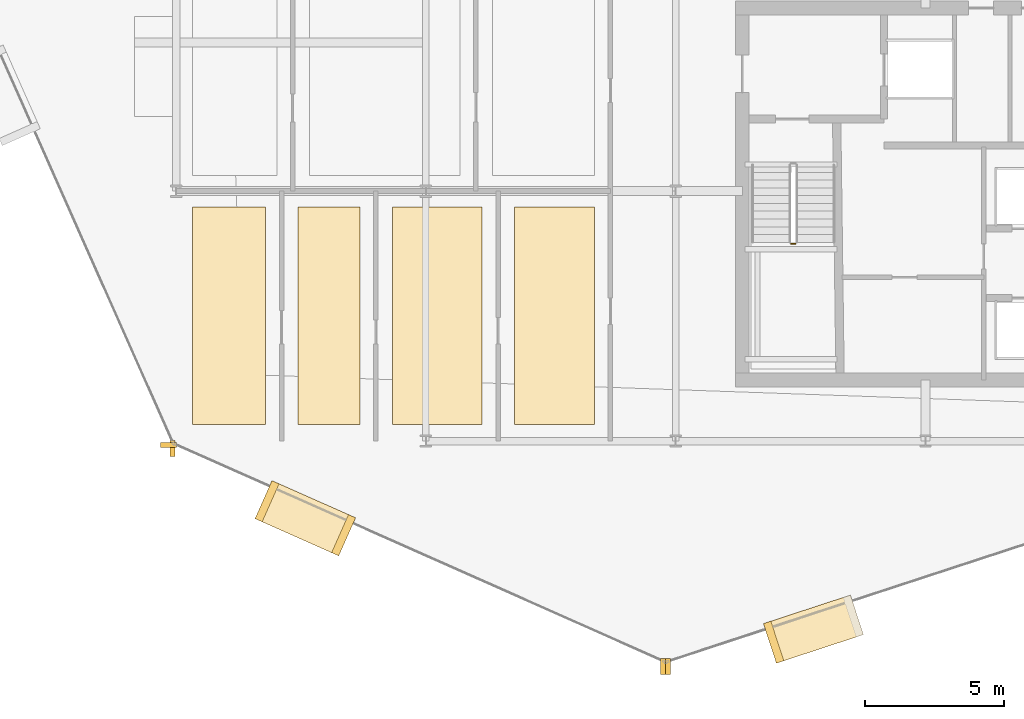
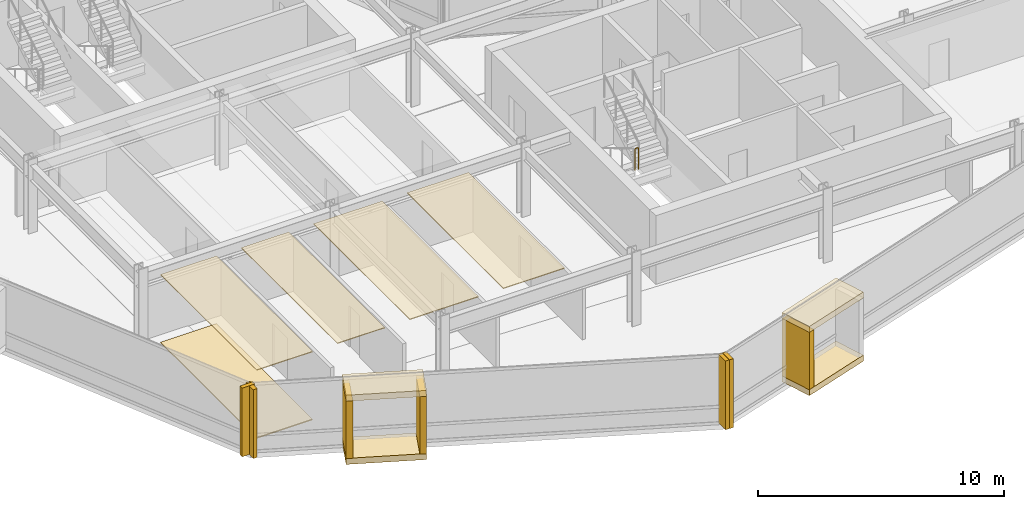
# One storey, part 24 of 28: 16 coverings, 1 railing.
"""IFC4 building model written with IfcOpenShell, lengths in metres."""

import ifcopenshell
import ifcopenshell.guid

model = None  # the IFC model being written
_history = None  # IfcOwnerHistory: only IFC2X3 demands one
_inside = {}  # id of a spatial element -> (the spatial element, [elements in it])
_under = {}  # id of a project, library or spatial element -> (it, [spatial elements below it])
_declared = {}  # id of a project -> (the project, [libraries it declares])
_typed = {}  # id of a type object -> (the type object, [elements of that type])
_made_of = {}  # id of a material, layer set ... -> (it, [elements and type objects made of it])


def new_model(schema):
    """Start an empty IFC model of exactly this schema.

    Asked for "IFC4X3", IfcOpenShell would pick the latest addendum, in which some entities
    have other attributes; the version numbers below select the first issue.
    IFC2X3 requires an IfcOwnerHistory on every rooted entity: one is made here for all.
    """
    global model, _history
    if schema == "IFC4X3":
        model = ifcopenshell.file(schema_version=(4, 3, 0, 0))
    else:
        model = ifcopenshell.file(schema=schema)
    _inside.clear()
    _under.clear()
    _declared.clear()
    _typed.clear()
    _made_of.clear()
    _history = None
    if model.schema == "IFC2X3":
        org = make("IfcOrganization", Name="unknown")
        user = make(
            "IfcPersonAndOrganization",
            ThePerson=make("IfcPerson", FamilyName="unknown"),
            TheOrganization=org,
        )
        app = make(
            "IfcApplication",
            ApplicationDeveloper=org,
            Version="unknown",
            ApplicationFullName="unknown",
            ApplicationIdentifier="unknown",
        )
        _history = make(
            "IfcOwnerHistory",
            OwningUser=user,
            OwningApplication=app,
            ChangeAction="ADDED",
            CreationDate=0,
        )
    return model


def make(cls, **values):
    """One entity of the class cls with the attributes given. An attribute that is None is left unset."""
    return model.create_entity(
        cls, **{name: value for name, value in values.items() if value is not None}
    )


def rooted(cls, **values):
    """An entity with a GlobalId (a new one), such as an element, a storey or a relation."""
    return make(cls, GlobalId=ifcopenshell.guid.new(), OwnerHistory=_history, **values)


def si_unit(unit_type, name, prefix=None):
    """IfcSIUnit, for example si_unit("LENGTHUNIT", "METRE", prefix="MILLI")."""
    return make("IfcSIUnit", UnitType=unit_type, Prefix=prefix, Name=name)


def assignment(units):
    """IfcUnitAssignment: the units of a project."""
    return None if units is None else make("IfcUnitAssignment", Units=units)


def point(xyz):
    """IfcCartesianPoint."""
    return None if xyz is None else make("IfcCartesianPoint", Coordinates=xyz)


def direction(xyz):
    """IfcDirection."""
    return None if xyz is None else make("IfcDirection", DirectionRatios=xyz)


def frame(location, z_axis=None, x_axis=None):
    """IfcAxis2Placement3D, a coordinate frame: its origin and axes. An axis left out is left unset."""
    return make(
        "IfcAxis2Placement3D",
        Location=point(location),
        Axis=direction(z_axis),
        RefDirection=direction(x_axis),
    )


def frame_2d(location, x_axis=None):
    """IfcAxis2Placement2D, a coordinate frame in the plane: its origin and x axis."""
    return make(
        "IfcAxis2Placement2D", Location=point(location), RefDirection=direction(x_axis)
    )


def origin():
    """The frame at (0, 0, 0) with its axes left unset."""
    return frame((0.0, 0.0, 0.0))


def origin_2d():
    """The frame at (0, 0) in the plane with its x axis left unset."""
    return frame_2d((0.0, 0.0))


def place(relative_to, where):
    """IfcLocalPlacement: puts the frame where relative to a parent placement (None: the world)."""
    return make(
        "IfcLocalPlacement", PlacementRelTo=relative_to, RelativePlacement=where
    )


def context(
    kind, dimensions, precision=None, world=None, true_north=None, identifier=None
):
    """IfcGeometricRepresentationContext, for example the 3D "Model" context."""
    return make(
        "IfcGeometricRepresentationContext",
        ContextIdentifier=identifier,
        ContextType=kind,
        CoordinateSpaceDimension=dimensions,
        Precision=precision,
        WorldCoordinateSystem=world,
        TrueNorth=true_north,
    )


def subcontext(parent, identifier, kind, view, scale=None):
    """IfcGeometricRepresentationSubContext, for example "Body" below "Model"."""
    return make(
        "IfcGeometricRepresentationSubContext",
        ContextIdentifier=identifier,
        ContextType=kind,
        ParentContext=parent,
        TargetScale=scale,
        TargetView=view,
    )


def project(units=None, contexts=None):
    """IfcProject with its units and contexts."""
    return rooted(
        "IfcProject",
        Name="project",
        RepresentationContexts=contexts,
        UnitsInContext=assignment(units),
    )


def spatial(cls, under=None, at=None, **own):
    """A site, building, storey or space (cls), placed at a placement, below another one or the project."""
    s = rooted(cls, ObjectPlacement=at, **own)
    if under is not None:
        _under.setdefault(under.id(), (under, []))[1].append(s)
    return s


def polyline(points):
    """IfcPolyline through the points."""
    return make("IfcPolyline", Points=[point(p) for p in points])


def profile(cls, at=None, kind="AREA", **sizes):
    """A parametric profile (cls). Its sizes go by their IFC names, for example OverallWidth=200.0."""
    return make(cls, ProfileType=kind, Position=at, **sizes)


def rectangle(**sizes):
    """IfcRectangleProfileDef."""
    return profile("IfcRectangleProfileDef", **sizes)


def circle(**sizes):
    """IfcCircleProfileDef."""
    return profile("IfcCircleProfileDef", **sizes)


def outline(outer, holes=None, kind="AREA"):
    """IfcArbitraryClosedProfileDef: a profile drawn as a closed curve; with holes, ...WithVoids."""
    if holes is None:
        return make("IfcArbitraryClosedProfileDef", ProfileType=kind, OuterCurve=outer)
    return make(
        "IfcArbitraryProfileDefWithVoids",
        ProfileType=kind,
        OuterCurve=outer,
        InnerCurves=holes,
    )


def extrude(swept, where, along, depth):
    """IfcExtrudedAreaSolid: the profile swept, set in the frame where, extruded along a direction by depth."""
    return make(
        "IfcExtrudedAreaSolid",
        SweptArea=swept,
        Position=where,
        ExtrudedDirection=direction(along),
        Depth=depth,
    )


def shape(context_of_items, identifier, shape_type, items):
    """IfcShapeRepresentation: the items that make up one representation, for example the "Body"."""
    return make(
        "IfcShapeRepresentation",
        ContextOfItems=context_of_items,
        RepresentationIdentifier=identifier,
        RepresentationType=shape_type,
        Items=items,
    )


def material(Name=None, Category=None):
    """IfcMaterial."""
    return make("IfcMaterial", Name=Name, Category=Category)


def layer(
    of_material, thickness, ventilated=None, Name=None, Category=None, Priority=None
):
    """IfcMaterialLayer: one layer of a wall or slab, of a material (None: an air gap)."""
    return make(
        "IfcMaterialLayer",
        Material=of_material,
        LayerThickness=thickness,
        IsVentilated=ventilated,
        Name=Name,
        Category=Category,
        Priority=Priority,
    )


def layer_set(layers, Name=None):
    """IfcMaterialLayerSet."""
    return make("IfcMaterialLayerSet", MaterialLayers=layers, LayerSetName=Name)


def made_of(thing, what):
    """Note that an element or type object is made of a material, layer set ...; save() writes the relation."""
    if what is not None:
        _made_of.setdefault(what.id(), (what, []))[1].append(thing)
    return thing


def type_object(cls, material=None, **own):
    """A type object (cls), such as IfcWallType, which elements share."""
    return made_of(rooted(cls, **own), material)


def element(
    cls,
    number,
    at=None,
    inside=None,
    cuts=None,
    type_object=None,
    material=None,
    context=None,
    identifier="Body",
    shape_type=None,
    held_by="IfcProductDefinitionShape",
    body=None,
    shapes=None,
    **own,
):
    """One element of the class cls, such as IfcWall. Its Tag is "e" and its number.

    at: its placement. inside: the storey or other place that contains it. cuts: it is an
    opening in that element (IfcRelVoidsElement). A single representation is given by context,
    identifier, shape_type and body (its items); several are given by shapes. held_by: the class
    of the entity that holds the representations. save() writes the other relations.
    """
    e = rooted(cls, Tag="e%d" % number, ObjectPlacement=at, **own)
    if body is not None:
        shapes = [shape(context, identifier, shape_type, body)]
    if shapes is not None:
        e.Representation = make(held_by, Representations=shapes)
    if inside is not None:
        _inside.setdefault(inside.id(), (inside, []))[1].append(e)
    if cuts is not None:
        rooted(
            "IfcRelVoidsElement", RelatingBuildingElement=cuts, RelatedOpeningElement=e
        )
    if type_object is not None:
        _typed.setdefault(type_object.id(), (type_object, []))[1].append(e)
    return made_of(e, material)


def aggregate(whole, parts):
    """IfcRelAggregates: a whole, such as a stair, and the parts it consists of."""
    return rooted("IfcRelAggregates", RelatingObject=whole, RelatedObjects=parts)


def save(model, path):
    """Write the relations noted so far, then the file.

    IfcRelAggregates (storeys below a building ...), IfcRelContainedInSpatialStructure (elements
    in a storey), IfcRelDefinesByType, IfcRelAssociatesMaterial and IfcRelDeclares: one each for
    every whole, place, type object, material and project.
    """
    for whole, parts in _under.values():
        aggregate(whole, parts)
    for where, things in _inside.values():
        rooted(
            "IfcRelContainedInSpatialStructure",
            RelatedElements=things,
            RelatingStructure=where,
        )
    for kind, things in _typed.values():
        rooted("IfcRelDefinesByType", RelatedObjects=things, RelatingType=kind)
    for what, things in _made_of.values():
        rooted("IfcRelAssociatesMaterial", RelatedObjects=things, RelatingMaterial=what)
    for by, libraries in _declared.values():
        rooted("IfcRelDeclares", RelatingContext=by, RelatedDefinitions=libraries)
    model.write(path)


model = new_model("IFC4")

# Units and contexts
model_context = context("Model", 3, precision=1e-05, world=origin(), true_north=direction((0.0, 1.0)))
body_context = subcontext(model_context, "Body", "Model", "MODEL_VIEW")
ifc_project = project(units=[si_unit("LENGTHUNIT", "METRE"), si_unit("AREAUNIT", "SQUARE_METRE"), si_unit("VOLUMEUNIT", "CUBIC_METRE"), si_unit("PLANEANGLEUNIT", "RADIAN"), si_unit("MASSUNIT", "GRAM", prefix="KILO")], contexts=[model_context])

# Site, building, storey
site_placement = place(None, origin())
site = spatial("IfcSite", under=ifc_project, at=site_placement, CompositionType="ELEMENT")
building_placement = place(site_placement, origin())
building = spatial("IfcBuilding", under=site, at=building_placement, Name="Solvaryn Broadcast Tower", CompositionType="ELEMENT")
storey_placement = place(building_placement, frame((0.0, 0.0, 154.39990234375)))
storey = spatial("IfcBuildingStorey", under=building, at=storey_placement, Name="L38", CompositionType="ELEMENT", Elevation=154.39990234375)

# Coverings
ifc_material_1 = material(Name="Micro-Perforated Acoustic Gypsum Ceiling", Category="concrete")
ifc_layer_1 = layer(ifc_material_1, 0.0400390625)
ifc_layer_set_1 = layer_set([ifc_layer_1], Name="CV-CEIL-ACOUSTIC")
covering_type_1 = type_object("IfcCoveringType", Name="CV-CEIL-ACOUSTIC", PredefinedType="CEILING", material=ifc_layer_set_1)
covering_1_placement = place(storey_placement, frame((0.0, 0.0, 3.380126953125)))
element("IfcCovering", 1, at=covering_1_placement, inside=storey, type_object=covering_type_1, Name="L38 Room Acoustic Ceiling 4", PredefinedType="CEILING", context=body_context, shape_type="SweptSolid", body=[
    extrude(outline(polyline([(9.60009765625, 9.60009765625), (12.22998046875, 9.60009765625), (12.22998046875, 17.429931640625), (9.60009765625, 17.429931640625), (9.60009765625, 9.60009765625)])), origin(), (0.0, 0.0, 1.0), 0.0400390625),
])
covering_2_placement = place(storey_placement, frame((0.0, 0.0, 3.380126953125)))
element("IfcCovering", 2, at=covering_2_placement, inside=storey, type_object=covering_type_1, Name="L38 Room Acoustic Ceiling 5", PredefinedType="CEILING", context=body_context, shape_type="SweptSolid", body=[
    extrude(outline(polyline([(13.39990234375, 9.60009765625), (15.6298828125, 9.60009765625), (15.6298828125, 17.429931640625), (13.39990234375, 17.429931640625), (13.39990234375, 9.60009765625)])), origin(), (0.0, 0.0, 1.0), 0.0400390625),
])
covering_3_placement = place(storey_placement, frame((0.0, 0.0, 3.380126953125)))
element("IfcCovering", 3, at=covering_3_placement, inside=storey, type_object=covering_type_1, Name="L38 Room Acoustic Ceiling 6", PredefinedType="CEILING", context=body_context, shape_type="SweptSolid", body=[
    extrude(outline(polyline([(16.800048828125, 9.60009765625), (20.030029296875, 9.60009765625), (20.030029296875, 17.429931640625), (16.800048828125, 17.429931640625), (16.800048828125, 9.60009765625)])), origin(), (0.0, 0.0, 1.0), 0.0400390625),
])
covering_4_placement = place(storey_placement, frame((0.0, 0.0, 3.380126953125)))
element("IfcCovering", 4, at=covering_4_placement, inside=storey, type_object=covering_type_1, Name="L38 Room Acoustic Ceiling 7", PredefinedType="CEILING", context=body_context, shape_type="SweptSolid", body=[
    extrude(outline(polyline([(21.199951171875, 9.60009765625), (24.080078125, 9.60009765625), (24.080078125, 17.429931640625), (21.199951171875, 17.429931640625), (21.199951171875, 9.60009765625)])), origin(), (0.0, 0.0, 1.0), 0.0400390625),
])
ifc_material_2 = material(Name="Newsroom Raised Data Access Flooring", Category="steel")
ifc_layer_2 = layer(ifc_material_2, 0.050048828125)
ifc_layer_set_2 = layer_set([ifc_layer_2], Name="CV-FLOOR-RAISED")
covering_type_2 = type_object("IfcCoveringType", Name="CV-FLOOR-RAISED", PredefinedType="FLOORING", material=ifc_layer_set_2)
covering_5_placement = place(storey_placement, origin())
element("IfcCovering", 5, at=covering_5_placement, inside=storey, type_object=covering_type_2, Name="L38 Room Acoustic Floor Finish 4", PredefinedType="FLOORING", context=body_context, shape_type="SweptSolid", body=[
    extrude(outline(polyline([(9.60009765625, 9.60009765625), (12.22998046875, 9.60009765625), (12.22998046875, 17.429931640625), (9.60009765625, 17.429931640625), (9.60009765625, 9.60009765625)])), origin(), (0.0, 0.0, 1.0), 0.050048828125),
])
ifc_material_3 = material(Name="Glazed Architectural Terracotta Rainscreen Cladding", Category="masonry")
ifc_layer_3 = layer(ifc_material_3, 0.280029296875)
ifc_layer_set_3 = layer_set([ifc_layer_3], Name="CV-TC-CLAD")
covering_type_3 = type_object("IfcCoveringType", Name="CV-TC-CLAD", PredefinedType="CLADDING", material=ifc_layer_set_3)
for number, where, z_axis, x_axis, name in (
    (6, (13.656982421875, 6.218994140625, 3.1298828125), (0.0, 0.0, 1.0), (0.913900054426, -0.405939269498, 0.0), "L38 Projecting Stone Window Box Hood 3"),
    (7, (13.656982421875, 6.218994140625, -0.009765625), (0.0, 0.0, 1.0), (0.913900054426, -0.405939269498, 0.0), "L38 Projecting Stone Window Box Sill 3"),
):
    element("IfcCovering", number, at=place(storey_placement, frame(where, z_axis=z_axis, x_axis=x_axis)), inside=storey, type_object=covering_type_3, Name=name, PredefinedType="CLADDING", context=body_context, shape_type="SweptSolid", body=[
        extrude(rectangle(XDim=3.300048828125, YDim=1.5, at=origin_2d()), origin(), (0.0, 0.0, 1.0), 0.300048828125),
    ])
for number, where, z_axis, x_axis, name in (
    (8, (12.277099609375, 6.83203125, 0.2802734375), (0.0, 0.0, 1.0), (0.913900054426, -0.405939269498, 0.0), "L38 Projecting Stone Window Box Cheek 3-1"),
    (9, (15.037109375, 5.60595703125, 0.2802734375), (0.0, 0.0, 1.0), (0.913900054426, -0.405939269498, 0.0), "L38 Projecting Stone Window Box Cheek 3-2"),
):
    element("IfcCovering", number, at=place(storey_placement, frame(where, z_axis=z_axis, x_axis=x_axis)), inside=storey, type_object=covering_type_3, Name=name, PredefinedType="CLADDING", context=body_context, shape_type="SweptSolid", body=[
        extrude(rectangle(XDim=0.280029296875, YDim=1.5, at=origin_2d()), origin(), (0.0, 0.0, 1.0), 2.860107421875),
    ])
for number, where, z_axis, x_axis, name in (
    (10, (31.9619140625, 2.222900390625, 3.1298828125), (0.0, 0.0, 1.0), (0.950189870912, 0.311671636848, 0.0), "L38 Projecting Stone Window Box Hood 4"),
    (11, (31.9619140625, 2.222900390625, -0.009765625), (0.0, 0.0, 1.0), (0.950189870912, 0.311671636848, 0.0), "L38 Projecting Stone Window Box Sill 4"),
):
    element("IfcCovering", number, at=place(storey_placement, frame(where, z_axis=z_axis, x_axis=x_axis)), inside=storey, type_object=covering_type_3, Name=name, PredefinedType="CLADDING", context=body_context, shape_type="SweptSolid", body=[
        extrude(rectangle(XDim=3.300048828125, YDim=1.5, at=origin_2d()), origin(), (0.0, 0.0, 1.0), 0.300048828125),
    ])
covering_6_placement = place(storey_placement, frame((30.527099609375, 1.75244140625, 0.2802734375), z_axis=(0.0, 0.0, 1.0), x_axis=(0.950189870912, 0.311671636848, 0.0)))
element("IfcCovering", 12, at=covering_6_placement, inside=storey, type_object=covering_type_3, Name="L38 Projecting Stone Window Box Cheek 4-1", PredefinedType="CLADDING", context=body_context, shape_type="SweptSolid", body=[
    extrude(rectangle(XDim=0.280029296875, YDim=1.5, at=origin_2d()), origin(), (0.0, 0.0, 1.0), 2.860107421875),
])
ifc_material_4 = material(Name="Extruded Architectural Terracotta Fin", Category="masonry")
ifc_layer_4 = layer(ifc_material_4, 0.179931640625)
ifc_layer_set_4 = layer_set([ifc_layer_4], Name="CV-TC-FIN")
covering_type_4 = type_object("IfcCoveringType", Name="CV-TC-FIN", PredefinedType="USERDEFINED", material=ifc_layer_set_4)
covering_7_placement = place(storey_placement, frame((8.731689453125, 8.86279296875, 0.000244140625), z_axis=(0.0, 0.0, 1.0), x_axis=(1.0, 0.0, 0.0)))
element("IfcCovering", 13, at=covering_7_placement, inside=storey, type_object=covering_type_4, Name="L38 Terracotta Vertical Fin FIN-L38-DR2-M01", ObjectType="FIN", PredefinedType="USERDEFINED", context=body_context, shape_type="SweptSolid", body=[
    extrude(rectangle(XDim=0.580078125, YDim=0.179931640625, at=origin_2d()), origin(), (0.0, 0.0, 1.0), 3.419921875),
])
for number, where, z_axis, x_axis, name in (
    (14, (8.86279296875, 8.731689453125, 0.000244140625), (0.0, 0.0, 1.0), (1.0, 0.0, 0.0), "L38 Terracotta Vertical Fin FIN-L38-DR3-M00"),
    (15, (26.535888671875, 0.8818359375, 0.000244140625), (0.0, 0.0, 1.0), (1.0, 0.0, 0.0), "L38 Terracotta Vertical Fin FIN-L38-DR3-M01"),
    (16, (26.720703125, 0.872314453125, 0.000244140625), (0.0, 0.0, 1.0), (1.0, 0.0, 0.0), "L38 Terracotta Vertical Fin FIN-L38-DR4-M00"),
):
    element("IfcCovering", number, at=place(storey_placement, frame(where, z_axis=z_axis, x_axis=x_axis)), inside=storey, type_object=covering_type_4, Name=name, ObjectType="FIN", PredefinedType="USERDEFINED", context=body_context, shape_type="SweptSolid", body=[
        extrude(rectangle(XDim=0.179931640625, YDim=0.580078125, at=origin_2d()), origin(), (0.0, 0.0, 1.0), 3.419921875),
    ])

# Railing
ifc_material_5 = material(Name="Painted Steel Stair Well Guard", Category="steel")
railing_type = type_object("IfcRailingType", Name="RL-STAIR-GUARD", PredefinedType="BALUSTRADE", material=ifc_material_5)
railing_placement = place(storey_placement, frame((31.159912109375, 16.110107421875, 1.85009765625)))
element("IfcRailing", 17, at=railing_placement, inside=storey, type_object=railing_type, Name="L38 ST3 stair guard 2", PredefinedType="BALUSTRADE", context=body_context, shape_type="SweptSolid", body=[
    extrude(circle(Radius=0.02392578125, at=origin_2d()), frame((0.0, 0.0, 1.076171875), z_axis=(1.0, 0.0, 0.0), x_axis=(0.0, 1.0, 0.0)), (0.0, 0.0, 1.0), 0.150146484375),
    extrude(circle(Radius=0.02099609375, at=origin_2d()), origin(), (0.0, 0.0, 1.0), 1.052001953125),
    extrude(circle(Radius=0.02099609375, at=origin_2d()), frame((0.150146484375, 0.0, 0.0)), (0.0, 0.0, 1.0), 1.052001953125),
])

save(model, "model.ifc")
